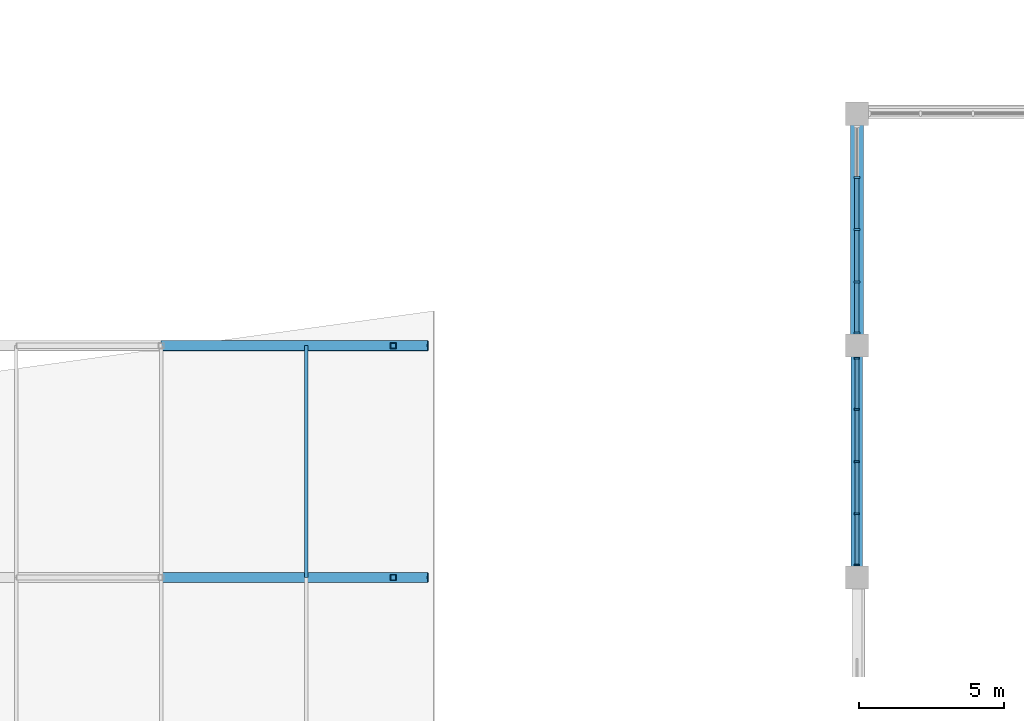
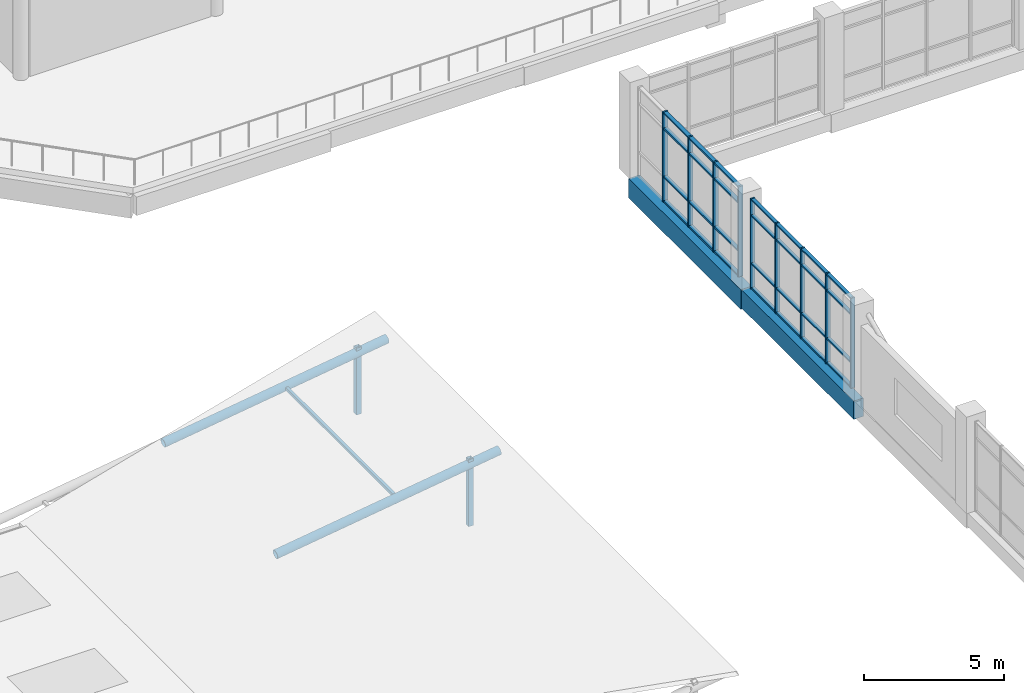
# One storey, part 24 of 84: 40 members, 4 beams, 2 elements without a shape of their own.
"""IFC4 building model written with IfcOpenShell, lengths in metres."""

from ifc_helpers import new_model, si_unit, direction, frame, origin, origin_2d, place, context, subcontext, project, spatial, rectangle, hollow_rectangle, hollow_circle, extrude, material, material_profile, profile_set, type_object, element, aggregate, save


model = new_model("IFC4")

# Units and contexts
model_context = context("Model", 3, precision=1e-05, world=origin(), true_north=direction((0.0, 1.0)))
body_context = subcontext(model_context, "Body", "Model", "MODEL_VIEW")
ifc_project = project(units=[si_unit("LENGTHUNIT", "METRE"), si_unit("AREAUNIT", "SQUARE_METRE"), si_unit("VOLUMEUNIT", "CUBIC_METRE"), si_unit("PLANEANGLEUNIT", "RADIAN"), si_unit("MASSUNIT", "GRAM", prefix="KILO")], contexts=[model_context])

# Site, building, storey
site_placement = place(None, origin())
site = spatial("IfcSite", under=ifc_project, at=site_placement, CompositionType="ELEMENT")
building_placement = place(site_placement, origin())
building = spatial("IfcBuilding", under=site, at=building_placement, Name="Tenunan Teduh Sports Hall", CompositionType="ELEMENT")
storey_placement = place(building_placement, frame((0.0, 0.0, 10.800048828125)))
storey = spatial("IfcBuildingStorey", under=building, at=storey_placement, Name="L02", CompositionType="ELEMENT", Elevation=10.800048828125)

# Beams
ifc_material_1 = material(Name="Concrete C40/50", Category="concrete")
ifc_material_profile_1 = material_profile(ifc_material_1, rectangle(XDim=0.39990234375, YDim=0.800048828125, at=origin_2d()), Name="RCB 400x800")
ifc_profile_set_1 = profile_set([ifc_material_profile_1], Name="Concrete C40/50")
beam_type_1 = type_object("IfcBeamType", Name="BM-RC-400x800", PredefinedType="BEAM", material=ifc_profile_set_1)
beam_1_placement = place(storey_placement, frame((122.0, 62.0, -0.66015625), z_axis=(0.0, 1.0, 0.0), x_axis=(-1.0, 0.0, 0.0)))
element("IfcBeam", 1, at=beam_1_placement, inside=storey, type_object=beam_type_1, Name="BM-B-10-L02-1639", PredefinedType="BEAM", context=body_context, shape_type="SweptSolid", body=[
    extrude(rectangle(XDim=0.39990234375, YDim=0.800048828125, at=origin_2d()), origin(), (0.0, 0.0, 1.0), 8.0),
])
ifc_material_2 = material(Name="Concrete C40/50", Category="concrete")
ifc_material_profile_2 = material_profile(ifc_material_2, rectangle(XDim=0.449951171875, YDim=0.85009765625, at=origin_2d()), Name="RCB 450x850")
ifc_profile_set_2 = profile_set([ifc_material_profile_2], Name="Concrete C40/50")
beam_type_2 = type_object("IfcBeamType", Name="BM-RC-450x850", PredefinedType="BEAM", material=ifc_profile_set_2)
beam_2_placement = place(storey_placement, frame((122.0, 70.0, -0.68505859375), z_axis=(0.0, 1.0, 0.0), x_axis=(-1.0, 0.0, 0.0)))
element("IfcBeam", 2, at=beam_2_placement, inside=storey, type_object=beam_type_2, Name="BM-B-13-L02-1640", PredefinedType="BEAM", context=body_context, shape_type="SweptSolid", body=[
    extrude(rectangle(XDim=0.449951171875, YDim=0.85009765625, at=origin_2d()), origin(), (0.0, 0.0, 1.0), 8.0),
])

# Curtain wall, members
ifc_material_3 = material(Name="Anodised aluminium", Category="aluminium")
curtain_wall_type = type_object("IfcCurtainWallType", Name="CW-UNIT-2", PredefinedType="NOTDEFINED", material=ifc_material_3)
curtain_wall_1_placement = place(storey_placement, origin())
curtain_wall_1 = element("IfcCurtainWall", 3, at=curtain_wall_1_placement, inside=storey, type_object=curtain_wall_type, Name="CW-CWM-175-L02-134", PredefinedType="NOTDEFINED")
ifc_material_4 = material(Name="Anodised aluminium", Category="aluminium")
ifc_material_profile_3 = material_profile(ifc_material_4, rectangle(XDim=0.06494140625, YDim=0.175048828125, at=origin_2d()), Name="CWM 65x175")
ifc_profile_set_3 = profile_set([ifc_material_profile_3], Name="Anodised aluminium")
member_type_1 = type_object("IfcMemberType", Name="CWM-175", PredefinedType="MULLION", material=ifc_profile_set_3)
member_1_placement = place(storey_placement, frame((122.0, 62.4326171875, 0.0), z_axis=(0.0, 0.0, 1.0), x_axis=(0.0, 1.0, 0.0)))
member_1 = element("IfcMember", 4, at=member_1_placement, type_object=member_type_1, Name="CW-02 mullion 1", PredefinedType="MULLION", context=body_context, shape_type="SweptSolid", body=[
    extrude(rectangle(XDim=0.06494140625, YDim=0.175048828125, at=origin_2d()), origin(), (0.0, 0.0, 1.0), 3.919921875),
])
member_2_placement = place(storey_placement, frame((122.0, 64.199951171875, 0.0), z_axis=(0.0, 0.0, 1.0), x_axis=(0.0, 1.0, 0.0)))
member_2 = element("IfcMember", 5, at=member_2_placement, type_object=member_type_1, Name="CW-02 mullion 2", PredefinedType="MULLION", context=body_context, shape_type="SweptSolid", body=[
    extrude(rectangle(XDim=0.06494140625, YDim=0.175048828125, at=origin_2d()), origin(), (0.0, 0.0, 1.0), 3.919921875),
])
member_3_placement = place(storey_placement, frame((122.0, 66.0, 0.0), z_axis=(0.0, 0.0, 1.0), x_axis=(0.0, 1.0, 0.0)))
member_3 = element("IfcMember", 6, at=member_3_placement, type_object=member_type_1, Name="CW-02 mullion 3", PredefinedType="MULLION", context=body_context, shape_type="SweptSolid", body=[
    extrude(rectangle(XDim=0.06494140625, YDim=0.175048828125, at=origin_2d()), origin(), (0.0, 0.0, 1.0), 3.919921875),
])
member_4_placement = place(storey_placement, frame((122.0, 67.800048828125, 0.0), z_axis=(0.0, 0.0, 1.0), x_axis=(0.0, 1.0, 0.0)))
member_4 = element("IfcMember", 7, at=member_4_placement, type_object=member_type_1, Name="CW-02 mullion 4", PredefinedType="MULLION", context=body_context, shape_type="SweptSolid", body=[
    extrude(rectangle(XDim=0.06494140625, YDim=0.175048828125, at=origin_2d()), origin(), (0.0, 0.0, 1.0), 3.919921875),
])
member_5_placement = place(storey_placement, frame((122.0, 69.5673828125, 0.0), z_axis=(0.0, 0.0, 1.0), x_axis=(0.0, 1.0, 0.0)))
member_5 = element("IfcMember", 8, at=member_5_placement, type_object=member_type_1, Name="CW-02 mullion 5", PredefinedType="MULLION", context=body_context, shape_type="SweptSolid", body=[
    extrude(rectangle(XDim=0.06494140625, YDim=0.175048828125, at=origin_2d()), origin(), (0.0, 0.0, 1.0), 3.919921875),
])

curtain_wall_2_placement = place(storey_placement, origin())
curtain_wall_2 = element("IfcCurtainWall", 9, at=curtain_wall_2_placement, inside=storey, type_object=curtain_wall_type, Name="CW-CWM-200-L02-136", PredefinedType="NOTDEFINED")
ifc_material_5 = material(Name="Anodised aluminium", Category="aluminium")
ifc_material_profile_4 = material_profile(ifc_material_5, rectangle(XDim=0.070068359375, YDim=0.199951171875, at=origin_2d()), Name="CWM 70x200")
ifc_profile_set_4 = profile_set([ifc_material_profile_4], Name="Anodised aluminium")
member_type_2 = type_object("IfcMemberType", Name="CWM-200", PredefinedType="MULLION", material=ifc_profile_set_4)
member_6_placement = place(storey_placement, frame((122.0, 70.43505859375, 0.0), z_axis=(0.0, 0.0, 1.0), x_axis=(0.0, 1.0, 0.0)))
member_6 = element("IfcMember", 10, at=member_6_placement, type_object=member_type_2, Name="CW-02 mullion 1", PredefinedType="MULLION", context=body_context, shape_type="SweptSolid", body=[
    extrude(rectangle(XDim=0.070068359375, YDim=0.199951171875, at=origin_2d()), origin(), (0.0, 0.0, 1.0), 3.919921875),
])
member_7_placement = place(storey_placement, frame((122.0, 72.199951171875, 0.0), z_axis=(0.0, 0.0, 1.0), x_axis=(0.0, 1.0, 0.0)))
member_7 = element("IfcMember", 11, at=member_7_placement, type_object=member_type_2, Name="CW-02 mullion 2", PredefinedType="MULLION", context=body_context, shape_type="SweptSolid", body=[
    extrude(rectangle(XDim=0.070068359375, YDim=0.199951171875, at=origin_2d()), origin(), (0.0, 0.0, 1.0), 3.919921875),
])
member_8_placement = place(storey_placement, frame((122.0, 74.0, 0.0), z_axis=(0.0, 0.0, 1.0), x_axis=(0.0, 1.0, 0.0)))
member_8 = element("IfcMember", 12, at=member_8_placement, type_object=member_type_2, Name="CW-02 mullion 3", PredefinedType="MULLION", context=body_context, shape_type="SweptSolid", body=[
    extrude(rectangle(XDim=0.070068359375, YDim=0.199951171875, at=origin_2d()), origin(), (0.0, 0.0, 1.0), 3.919921875),
])
member_9_placement = place(storey_placement, frame((122.0, 75.800048828125, 0.0), z_axis=(0.0, 0.0, 1.0), x_axis=(0.0, 1.0, 0.0)))
member_9 = element("IfcMember", 13, at=member_9_placement, type_object=member_type_2, Name="CW-02 mullion 4", PredefinedType="MULLION", context=body_context, shape_type="SweptSolid", body=[
    extrude(rectangle(XDim=0.070068359375, YDim=0.199951171875, at=origin_2d()), origin(), (0.0, 0.0, 1.0), 3.919921875),
])

# Member
ifc_material_6 = material(Name="Anodised aluminium", Category="aluminium")
ifc_material_profile_5 = material_profile(ifc_material_6, rectangle(XDim=0.06494140625, YDim=0.139892578125, at=origin_2d()), Name="CWT 65x140")
ifc_profile_set_5 = profile_set([ifc_material_profile_5], Name="Anodised aluminium")
member_type_3 = type_object("IfcMemberType", Name="CWT-150", PredefinedType="USERDEFINED", material=ifc_profile_set_5)
member_10_placement = place(storey_placement, frame((122.0, 62.465087890625, 0.032470703125), z_axis=(0.0, 1.0, 0.0), x_axis=(0.0, 0.0, 1.0)))
member_10 = element("IfcMember", 14, at=member_10_placement, type_object=member_type_3, Name="CW-02 transom 1.1", ObjectType="TRANSOM", PredefinedType="USERDEFINED", context=body_context, shape_type="SweptSolid", body=[
    extrude(rectangle(XDim=0.06494140625, YDim=0.139892578125, at=origin_2d()), origin(), (0.0, 0.0, 1.0), 1.702392578125),
])

member_11_placement = place(storey_placement, frame((122.0, 62.465087890625, 1.099853515625), z_axis=(0.0, 1.0, 0.0), x_axis=(0.0, 0.0, 1.0)))
member_11 = element("IfcMember", 15, at=member_11_placement, type_object=member_type_3, Name="CW-02 transom 1.2", ObjectType="TRANSOM", PredefinedType="USERDEFINED", context=body_context, shape_type="SweptSolid", body=[
    extrude(rectangle(XDim=0.06494140625, YDim=0.139892578125, at=origin_2d()), origin(), (0.0, 0.0, 1.0), 1.702392578125),
])

member_12_placement = place(storey_placement, frame((122.0, 62.465087890625, 3.199951171875), z_axis=(0.0, 1.0, 0.0), x_axis=(0.0, 0.0, 1.0)))
member_12 = element("IfcMember", 16, at=member_12_placement, type_object=member_type_3, Name="CW-02 transom 1.3", ObjectType="TRANSOM", PredefinedType="USERDEFINED", context=body_context, shape_type="SweptSolid", body=[
    extrude(rectangle(XDim=0.06494140625, YDim=0.139892578125, at=origin_2d()), origin(), (0.0, 0.0, 1.0), 1.702392578125),
])

member_13_placement = place(storey_placement, frame((122.0, 62.465087890625, 3.887451171875), z_axis=(0.0, 1.0, 0.0), x_axis=(0.0, 0.0, 1.0)))
member_13 = element("IfcMember", 17, at=member_13_placement, type_object=member_type_3, Name="CW-02 transom 1.4", ObjectType="TRANSOM", PredefinedType="USERDEFINED", context=body_context, shape_type="SweptSolid", body=[
    extrude(rectangle(XDim=0.06494140625, YDim=0.139892578125, at=origin_2d()), origin(), (0.0, 0.0, 1.0), 1.702392578125),
])

member_14_placement = place(storey_placement, frame((122.0, 64.232421875, 0.032470703125), z_axis=(0.0, 1.0, 0.0), x_axis=(0.0, 0.0, 1.0)))
member_14 = element("IfcMember", 18, at=member_14_placement, type_object=member_type_3, Name="CW-02 transom 2.1", ObjectType="TRANSOM", PredefinedType="USERDEFINED", context=body_context, shape_type="SweptSolid", body=[
    extrude(rectangle(XDim=0.06494140625, YDim=0.139892578125, at=origin_2d()), origin(), (0.0, 0.0, 1.0), 1.735107421875),
])

member_15_placement = place(storey_placement, frame((122.0, 64.232421875, 1.099853515625), z_axis=(0.0, 1.0, 0.0), x_axis=(0.0, 0.0, 1.0)))
member_15 = element("IfcMember", 19, at=member_15_placement, type_object=member_type_3, Name="CW-02 transom 2.2", ObjectType="TRANSOM", PredefinedType="USERDEFINED", context=body_context, shape_type="SweptSolid", body=[
    extrude(rectangle(XDim=0.06494140625, YDim=0.139892578125, at=origin_2d()), origin(), (0.0, 0.0, 1.0), 1.735107421875),
])

member_16_placement = place(storey_placement, frame((122.0, 64.232421875, 3.199951171875), z_axis=(0.0, 1.0, 0.0), x_axis=(0.0, 0.0, 1.0)))
member_16 = element("IfcMember", 20, at=member_16_placement, type_object=member_type_3, Name="CW-02 transom 2.3", ObjectType="TRANSOM", PredefinedType="USERDEFINED", context=body_context, shape_type="SweptSolid", body=[
    extrude(rectangle(XDim=0.06494140625, YDim=0.139892578125, at=origin_2d()), origin(), (0.0, 0.0, 1.0), 1.735107421875),
])

member_17_placement = place(storey_placement, frame((122.0, 64.232421875, 3.887451171875), z_axis=(0.0, 1.0, 0.0), x_axis=(0.0, 0.0, 1.0)))
member_17 = element("IfcMember", 21, at=member_17_placement, type_object=member_type_3, Name="CW-02 transom 2.4", ObjectType="TRANSOM", PredefinedType="USERDEFINED", context=body_context, shape_type="SweptSolid", body=[
    extrude(rectangle(XDim=0.06494140625, YDim=0.139892578125, at=origin_2d()), origin(), (0.0, 0.0, 1.0), 1.735107421875),
])

member_18_placement = place(storey_placement, frame((122.0, 66.032470703125, 0.032470703125), z_axis=(0.0, 1.0, 0.0), x_axis=(0.0, 0.0, 1.0)))
member_18 = element("IfcMember", 22, at=member_18_placement, type_object=member_type_3, Name="CW-02 transom 3.1", ObjectType="TRANSOM", PredefinedType="USERDEFINED", context=body_context, shape_type="SweptSolid", body=[
    extrude(rectangle(XDim=0.06494140625, YDim=0.139892578125, at=origin_2d()), origin(), (0.0, 0.0, 1.0), 1.735107421875),
])

member_19_placement = place(storey_placement, frame((122.0, 66.032470703125, 1.099853515625), z_axis=(0.0, 1.0, 0.0), x_axis=(0.0, 0.0, 1.0)))
member_19 = element("IfcMember", 23, at=member_19_placement, type_object=member_type_3, Name="CW-02 transom 3.2", ObjectType="TRANSOM", PredefinedType="USERDEFINED", context=body_context, shape_type="SweptSolid", body=[
    extrude(rectangle(XDim=0.06494140625, YDim=0.139892578125, at=origin_2d()), origin(), (0.0, 0.0, 1.0), 1.735107421875),
])

member_20_placement = place(storey_placement, frame((122.0, 66.032470703125, 3.199951171875), z_axis=(0.0, 1.0, 0.0), x_axis=(0.0, 0.0, 1.0)))
member_20 = element("IfcMember", 24, at=member_20_placement, type_object=member_type_3, Name="CW-02 transom 3.3", ObjectType="TRANSOM", PredefinedType="USERDEFINED", context=body_context, shape_type="SweptSolid", body=[
    extrude(rectangle(XDim=0.06494140625, YDim=0.139892578125, at=origin_2d()), origin(), (0.0, 0.0, 1.0), 1.735107421875),
])

member_21_placement = place(storey_placement, frame((122.0, 66.032470703125, 3.887451171875), z_axis=(0.0, 1.0, 0.0), x_axis=(0.0, 0.0, 1.0)))
member_21 = element("IfcMember", 25, at=member_21_placement, type_object=member_type_3, Name="CW-02 transom 3.4", ObjectType="TRANSOM", PredefinedType="USERDEFINED", context=body_context, shape_type="SweptSolid", body=[
    extrude(rectangle(XDim=0.06494140625, YDim=0.139892578125, at=origin_2d()), origin(), (0.0, 0.0, 1.0), 1.735107421875),
])

member_22_placement = place(storey_placement, frame((122.0, 67.83251953125, 0.032470703125), z_axis=(0.0, 1.0, 0.0), x_axis=(0.0, 0.0, 1.0)))
member_22 = element("IfcMember", 26, at=member_22_placement, type_object=member_type_3, Name="CW-02 transom 4.1", ObjectType="TRANSOM", PredefinedType="USERDEFINED", context=body_context, shape_type="SweptSolid", body=[
    extrude(rectangle(XDim=0.06494140625, YDim=0.139892578125, at=origin_2d()), origin(), (0.0, 0.0, 1.0), 1.702392578125),
])

member_23_placement = place(storey_placement, frame((122.0, 67.83251953125, 1.099853515625), z_axis=(0.0, 1.0, 0.0), x_axis=(0.0, 0.0, 1.0)))
member_23 = element("IfcMember", 27, at=member_23_placement, type_object=member_type_3, Name="CW-02 transom 4.2", ObjectType="TRANSOM", PredefinedType="USERDEFINED", context=body_context, shape_type="SweptSolid", body=[
    extrude(rectangle(XDim=0.06494140625, YDim=0.139892578125, at=origin_2d()), origin(), (0.0, 0.0, 1.0), 1.702392578125),
])

member_24_placement = place(storey_placement, frame((122.0, 67.83251953125, 3.199951171875), z_axis=(0.0, 1.0, 0.0), x_axis=(0.0, 0.0, 1.0)))
member_24 = element("IfcMember", 28, at=member_24_placement, type_object=member_type_3, Name="CW-02 transom 4.3", ObjectType="TRANSOM", PredefinedType="USERDEFINED", context=body_context, shape_type="SweptSolid", body=[
    extrude(rectangle(XDim=0.06494140625, YDim=0.139892578125, at=origin_2d()), origin(), (0.0, 0.0, 1.0), 1.702392578125),
])

member_25_placement = place(storey_placement, frame((122.0, 67.83251953125, 3.887451171875), z_axis=(0.0, 1.0, 0.0), x_axis=(0.0, 0.0, 1.0)))
member_25 = element("IfcMember", 29, at=member_25_placement, type_object=member_type_3, Name="CW-02 transom 4.4", ObjectType="TRANSOM", PredefinedType="USERDEFINED", context=body_context, shape_type="SweptSolid", body=[
    extrude(rectangle(XDim=0.06494140625, YDim=0.139892578125, at=origin_2d()), origin(), (0.0, 0.0, 1.0), 1.702392578125),
])

aggregate(curtain_wall_1, [member_1, member_2, member_3, member_4, member_5, member_10, member_11, member_12, member_13, member_14, member_15, member_16, member_17, member_18, member_19, member_20, member_21, member_22, member_23, member_24, member_25])

ifc_material_7 = material(Name="Anodised aluminium", Category="aluminium")
ifc_material_profile_6 = material_profile(ifc_material_7, rectangle(XDim=0.070068359375, YDim=0.159912109375, at=origin_2d()), Name="CWT 70x160")
ifc_profile_set_6 = profile_set([ifc_material_profile_6], Name="Anodised aluminium")
member_type_4 = type_object("IfcMemberType", Name="CWT-200", PredefinedType="USERDEFINED", material=ifc_profile_set_6)
member_26_placement = place(storey_placement, frame((122.0, 70.469970703125, 0.034912109375), z_axis=(0.0, 1.0, 0.0), x_axis=(0.0, 0.0, 1.0)))
member_26 = element("IfcMember", 30, at=member_26_placement, type_object=member_type_4, Name="CW-02 transom 1.1", ObjectType="TRANSOM", PredefinedType="USERDEFINED", context=body_context, shape_type="SweptSolid", body=[
    extrude(rectangle(XDim=0.070068359375, YDim=0.159912109375, at=origin_2d()), origin(), (0.0, 0.0, 1.0), 1.695068359375),
])

member_27_placement = place(storey_placement, frame((122.0, 70.469970703125, 1.099853515625), z_axis=(0.0, 1.0, 0.0), x_axis=(0.0, 0.0, 1.0)))
member_27 = element("IfcMember", 31, at=member_27_placement, type_object=member_type_4, Name="CW-02 transom 1.2", ObjectType="TRANSOM", PredefinedType="USERDEFINED", context=body_context, shape_type="SweptSolid", body=[
    extrude(rectangle(XDim=0.070068359375, YDim=0.159912109375, at=origin_2d()), origin(), (0.0, 0.0, 1.0), 1.695068359375),
])

member_28_placement = place(storey_placement, frame((122.0, 70.469970703125, 3.199951171875), z_axis=(0.0, 1.0, 0.0), x_axis=(0.0, 0.0, 1.0)))
member_28 = element("IfcMember", 32, at=member_28_placement, type_object=member_type_4, Name="CW-02 transom 1.3", ObjectType="TRANSOM", PredefinedType="USERDEFINED", context=body_context, shape_type="SweptSolid", body=[
    extrude(rectangle(XDim=0.070068359375, YDim=0.159912109375, at=origin_2d()), origin(), (0.0, 0.0, 1.0), 1.695068359375),
])

member_29_placement = place(storey_placement, frame((122.0, 70.469970703125, 3.885009765625), z_axis=(0.0, 1.0, 0.0), x_axis=(0.0, 0.0, 1.0)))
member_29 = element("IfcMember", 33, at=member_29_placement, type_object=member_type_4, Name="CW-02 transom 1.4", ObjectType="TRANSOM", PredefinedType="USERDEFINED", context=body_context, shape_type="SweptSolid", body=[
    extrude(rectangle(XDim=0.070068359375, YDim=0.159912109375, at=origin_2d()), origin(), (0.0, 0.0, 1.0), 1.695068359375),
])

member_30_placement = place(storey_placement, frame((122.0, 72.235107421875, 0.034912109375), z_axis=(0.0, 1.0, 0.0), x_axis=(0.0, 0.0, 1.0)))
member_30 = element("IfcMember", 34, at=member_30_placement, type_object=member_type_4, Name="CW-02 transom 2.1", ObjectType="TRANSOM", PredefinedType="USERDEFINED", context=body_context, shape_type="SweptSolid", body=[
    extrude(rectangle(XDim=0.070068359375, YDim=0.159912109375, at=origin_2d()), origin(), (0.0, 0.0, 1.0), 1.72998046875),
])

member_31_placement = place(storey_placement, frame((122.0, 72.235107421875, 1.099853515625), z_axis=(0.0, 1.0, 0.0), x_axis=(0.0, 0.0, 1.0)))
member_31 = element("IfcMember", 35, at=member_31_placement, type_object=member_type_4, Name="CW-02 transom 2.2", ObjectType="TRANSOM", PredefinedType="USERDEFINED", context=body_context, shape_type="SweptSolid", body=[
    extrude(rectangle(XDim=0.070068359375, YDim=0.159912109375, at=origin_2d()), origin(), (0.0, 0.0, 1.0), 1.72998046875),
])

member_32_placement = place(storey_placement, frame((122.0, 72.235107421875, 3.199951171875), z_axis=(0.0, 1.0, 0.0), x_axis=(0.0, 0.0, 1.0)))
member_32 = element("IfcMember", 36, at=member_32_placement, type_object=member_type_4, Name="CW-02 transom 2.3", ObjectType="TRANSOM", PredefinedType="USERDEFINED", context=body_context, shape_type="SweptSolid", body=[
    extrude(rectangle(XDim=0.070068359375, YDim=0.159912109375, at=origin_2d()), origin(), (0.0, 0.0, 1.0), 1.72998046875),
])

member_33_placement = place(storey_placement, frame((122.0, 72.235107421875, 3.885009765625), z_axis=(0.0, 1.0, 0.0), x_axis=(0.0, 0.0, 1.0)))
member_33 = element("IfcMember", 37, at=member_33_placement, type_object=member_type_4, Name="CW-02 transom 2.4", ObjectType="TRANSOM", PredefinedType="USERDEFINED", context=body_context, shape_type="SweptSolid", body=[
    extrude(rectangle(XDim=0.070068359375, YDim=0.159912109375, at=origin_2d()), origin(), (0.0, 0.0, 1.0), 1.72998046875),
])

member_34_placement = place(storey_placement, frame((122.0, 74.034912109375, 0.034912109375), z_axis=(0.0, 1.0, 0.0), x_axis=(0.0, 0.0, 1.0)))
member_34 = element("IfcMember", 38, at=member_34_placement, type_object=member_type_4, Name="CW-02 transom 3.1", ObjectType="TRANSOM", PredefinedType="USERDEFINED", context=body_context, shape_type="SweptSolid", body=[
    extrude(rectangle(XDim=0.070068359375, YDim=0.159912109375, at=origin_2d()), origin(), (0.0, 0.0, 1.0), 1.72998046875),
])

member_35_placement = place(storey_placement, frame((122.0, 74.034912109375, 1.099853515625), z_axis=(0.0, 1.0, 0.0), x_axis=(0.0, 0.0, 1.0)))
member_35 = element("IfcMember", 39, at=member_35_placement, type_object=member_type_4, Name="CW-02 transom 3.2", ObjectType="TRANSOM", PredefinedType="USERDEFINED", context=body_context, shape_type="SweptSolid", body=[
    extrude(rectangle(XDim=0.070068359375, YDim=0.159912109375, at=origin_2d()), origin(), (0.0, 0.0, 1.0), 1.72998046875),
])

member_36_placement = place(storey_placement, frame((122.0, 74.034912109375, 3.199951171875), z_axis=(0.0, 1.0, 0.0), x_axis=(0.0, 0.0, 1.0)))
member_36 = element("IfcMember", 40, at=member_36_placement, type_object=member_type_4, Name="CW-02 transom 3.3", ObjectType="TRANSOM", PredefinedType="USERDEFINED", context=body_context, shape_type="SweptSolid", body=[
    extrude(rectangle(XDim=0.070068359375, YDim=0.159912109375, at=origin_2d()), origin(), (0.0, 0.0, 1.0), 1.72998046875),
])

member_37_placement = place(storey_placement, frame((122.0, 74.034912109375, 3.885009765625), z_axis=(0.0, 1.0, 0.0), x_axis=(0.0, 0.0, 1.0)))
member_37 = element("IfcMember", 41, at=member_37_placement, type_object=member_type_4, Name="CW-02 transom 3.4", ObjectType="TRANSOM", PredefinedType="USERDEFINED", context=body_context, shape_type="SweptSolid", body=[
    extrude(rectangle(XDim=0.070068359375, YDim=0.159912109375, at=origin_2d()), origin(), (0.0, 0.0, 1.0), 1.72998046875),
])

aggregate(curtain_wall_2, [member_6, member_7, member_8, member_9, member_26, member_27, member_28, member_29, member_30, member_31, member_32, member_33, member_34, member_35, member_36, member_37])

# Beams
ifc_material_8 = material(Name="Steel S355", Category="steel")
ifc_material_profile_7 = material_profile(ifc_material_8, hollow_circle(Radius=0.177734375, WallThickness=0.012451171875, at=origin_2d()), Name="CHS 355.6x12.5")
ifc_profile_set_7 = profile_set([ifc_material_profile_7], Name="Steel S355")
beam_type_3 = type_object("IfcBeamType", Name="GSB-CHS356", PredefinedType="BEAM", material=ifc_profile_set_7)
for number, where, z_axis, x_axis, name in (
    (42, (98.0, 62.0, 1.404296875), (0.989928466814, 0.0, 0.14156846609), (0.0, 1.0, 0.0), "Gridshell Vault Arch BM-GR-04-L02-0512"),
    (43, (98.0, 70.0, 1.404296875), (0.989928466814, 0.0, 0.14156846609), (0.0, 1.0, 0.0), "Gridshell Vault Arch BM-GR-04-L02-0517"),
):
    element("IfcBeam", number, at=place(storey_placement, frame(where, z_axis=z_axis, x_axis=x_axis)), inside=storey, type_object=beam_type_3, Name=name, PredefinedType="BEAM", context=body_context, shape_type="SweptSolid", body=[
        extrude(hollow_circle(Radius=0.177734375, WallThickness=0.012451171875, at=origin_2d()), origin(), (0.0, 0.0, 1.0), 9.29345703125),
    ])

# Members
ifc_material_9 = material(Name="Steel S355", Category="steel")
ifc_material_profile_8 = material_profile(ifc_material_9, hollow_rectangle(XDim=0.1201171875, YDim=0.1201171875, WallThickness=0.00634765625, at=origin_2d()), Name="SHS 120x120x6.3")
ifc_profile_set_8 = profile_set([ifc_material_profile_8], Name="Steel S355")
member_type_5 = type_object("IfcMemberType", Name="MEM-PR-SHS120", PredefinedType="PURLIN", material=ifc_profile_set_8)
member_38_placement = place(storey_placement, frame((103.0, 62.0, 2.126708984375), z_axis=(0.0, 1.0, 0.0), x_axis=(-1.0, 0.0, 0.0)))
element("IfcMember", 44, at=member_38_placement, inside=storey, type_object=member_type_5, Name="MEM-PR-02-L02-0929", PredefinedType="PURLIN", context=body_context, shape_type="SweptSolid", body=[
    extrude(hollow_rectangle(XDim=0.1201171875, YDim=0.1201171875, WallThickness=0.00634765625, at=origin_2d()), origin(), (0.0, 0.0, 1.0), 8.0),
])
ifc_material_10 = material(Name="Steel S355", Category="steel")
ifc_material_profile_9 = material_profile(ifc_material_10, hollow_rectangle(XDim=0.199951171875, YDim=0.199951171875, WallThickness=0.010009765625, at=origin_2d()), Name="SHS 200x200x10.0")
ifc_profile_set_9 = profile_set([ifc_material_profile_9], Name="Steel S355")
member_type_6 = type_object("IfcMemberType", Name="MEM-ST-SHS200", PredefinedType="STRUT", material=ifc_profile_set_9)
for number, where, z_axis, x_axis, name in (
    (45, (106.0, 62.0, -0.10009765625), (0.0, 0.0, 1.0), (1.0, 0.0, 0.0), "MEM-VS-02-L02-0889"),
    (46, (106.0, 70.0, -0.10009765625), (0.0, 0.0, 1.0), (1.0, 0.0, 0.0), "MEM-VS-02-L02-0900"),
):
    element("IfcMember", number, at=place(storey_placement, frame(where, z_axis=z_axis, x_axis=x_axis)), inside=storey, type_object=member_type_6, Name=name, PredefinedType="STRUT", context=body_context, shape_type="SweptSolid", body=[
        extrude(hollow_rectangle(XDim=0.199951171875, YDim=0.199951171875, WallThickness=0.010009765625, at=origin_2d()), origin(), (0.0, 0.0, 1.0), 2.91015625),
    ])

save(model, "model.ifc")
